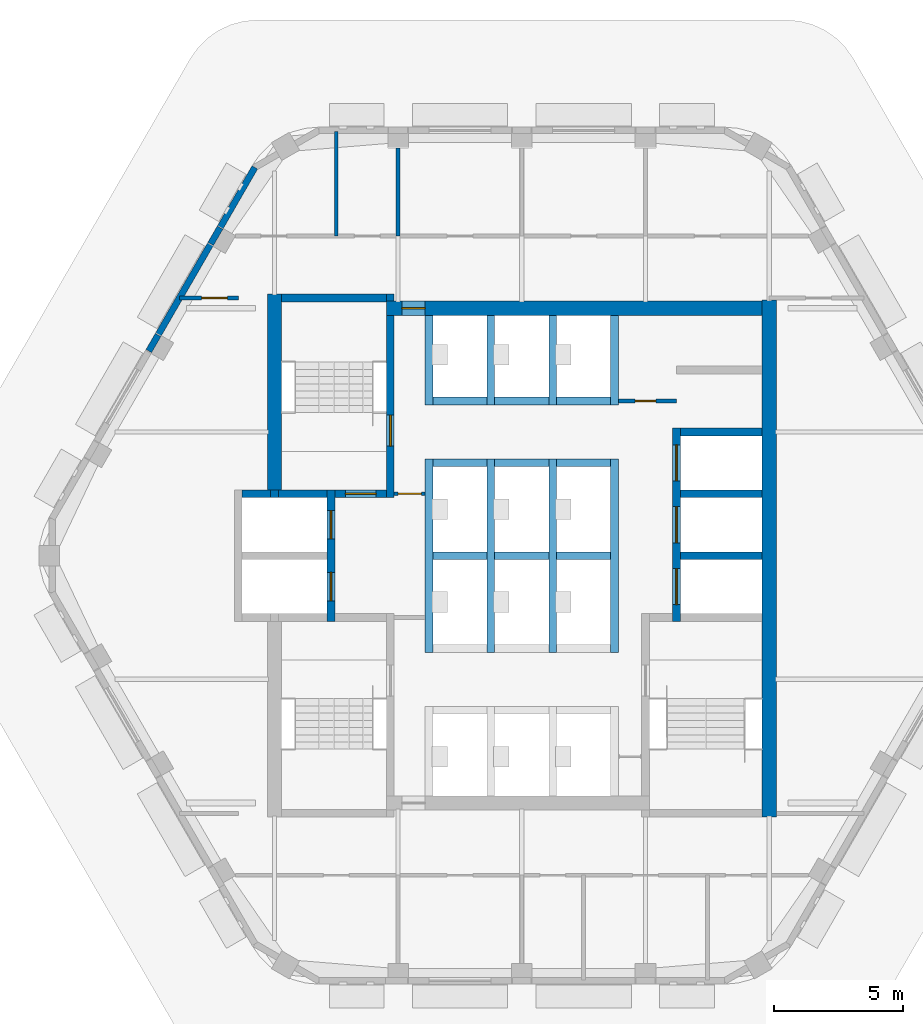
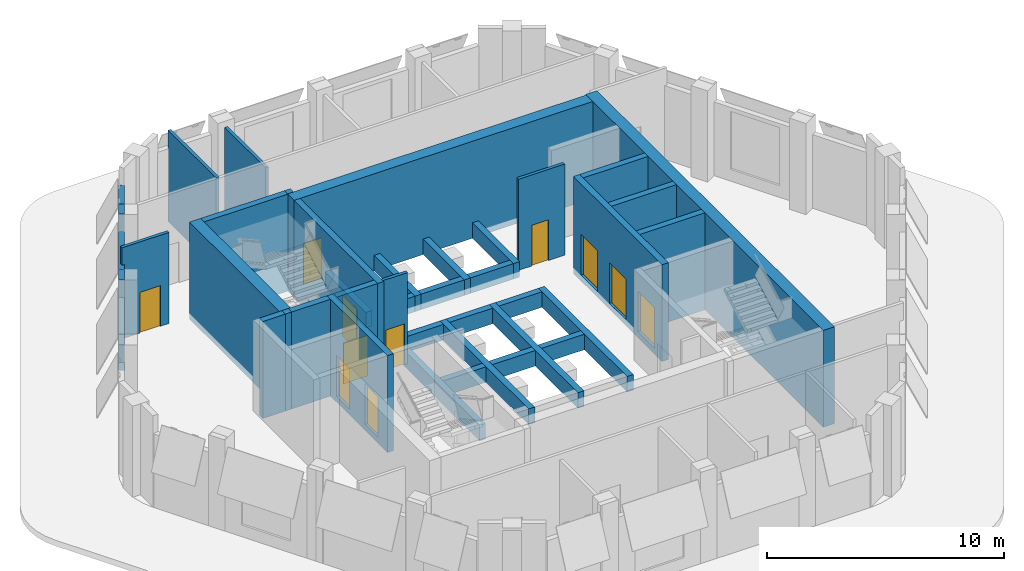
# One storey, part 4 of 9: 41 walls, 11 doors, 11 openings.
"""IFC4 building model written with IfcOpenShell, lengths in metres."""

import ifcopenshell
import ifcopenshell.guid

model = None  # the IFC model being written
_history = None  # IfcOwnerHistory: only IFC2X3 demands one
_inside = {}  # id of a spatial element -> (the spatial element, [elements in it])
_under = {}  # id of a project, library or spatial element -> (it, [spatial elements below it])
_declared = {}  # id of a project -> (the project, [libraries it declares])
_typed = {}  # id of a type object -> (the type object, [elements of that type])
_made_of = {}  # id of a material, layer set ... -> (it, [elements and type objects made of it])


def new_model(schema):
    """Start an empty IFC model of exactly this schema.

    Asked for "IFC4X3", IfcOpenShell would pick the latest addendum, in which some entities
    have other attributes; the version numbers below select the first issue.
    IFC2X3 requires an IfcOwnerHistory on every rooted entity: one is made here for all.
    """
    global model, _history
    if schema == "IFC4X3":
        model = ifcopenshell.file(schema_version=(4, 3, 0, 0))
    else:
        model = ifcopenshell.file(schema=schema)
    _inside.clear()
    _under.clear()
    _declared.clear()
    _typed.clear()
    _made_of.clear()
    _history = None
    if model.schema == "IFC2X3":
        org = make("IfcOrganization", Name="unknown")
        user = make(
            "IfcPersonAndOrganization",
            ThePerson=make("IfcPerson", FamilyName="unknown"),
            TheOrganization=org,
        )
        app = make(
            "IfcApplication",
            ApplicationDeveloper=org,
            Version="unknown",
            ApplicationFullName="unknown",
            ApplicationIdentifier="unknown",
        )
        _history = make(
            "IfcOwnerHistory",
            OwningUser=user,
            OwningApplication=app,
            ChangeAction="ADDED",
            CreationDate=0,
        )
    return model


def make(cls, **values):
    """One entity of the class cls with the attributes given. An attribute that is None is left unset."""
    return model.create_entity(
        cls, **{name: value for name, value in values.items() if value is not None}
    )


def rooted(cls, **values):
    """An entity with a GlobalId (a new one), such as an element, a storey or a relation."""
    return make(cls, GlobalId=ifcopenshell.guid.new(), OwnerHistory=_history, **values)


def si_unit(unit_type, name, prefix=None):
    """IfcSIUnit, for example si_unit("LENGTHUNIT", "METRE", prefix="MILLI")."""
    return make("IfcSIUnit", UnitType=unit_type, Prefix=prefix, Name=name)


def assignment(units):
    """IfcUnitAssignment: the units of a project."""
    return None if units is None else make("IfcUnitAssignment", Units=units)


def point(xyz):
    """IfcCartesianPoint."""
    return None if xyz is None else make("IfcCartesianPoint", Coordinates=xyz)


def direction(xyz):
    """IfcDirection."""
    return None if xyz is None else make("IfcDirection", DirectionRatios=xyz)


def frame(location, z_axis=None, x_axis=None):
    """IfcAxis2Placement3D, a coordinate frame: its origin and axes. An axis left out is left unset."""
    return make(
        "IfcAxis2Placement3D",
        Location=point(location),
        Axis=direction(z_axis),
        RefDirection=direction(x_axis),
    )


def frame_2d(location, x_axis=None):
    """IfcAxis2Placement2D, a coordinate frame in the plane: its origin and x axis."""
    return make(
        "IfcAxis2Placement2D", Location=point(location), RefDirection=direction(x_axis)
    )


def origin():
    """The frame at (0, 0, 0) with its axes left unset."""
    return frame((0.0, 0.0, 0.0))


def place(relative_to, where):
    """IfcLocalPlacement: puts the frame where relative to a parent placement (None: the world)."""
    return make(
        "IfcLocalPlacement", PlacementRelTo=relative_to, RelativePlacement=where
    )


def context(
    kind, dimensions, precision=None, world=None, true_north=None, identifier=None
):
    """IfcGeometricRepresentationContext, for example the 3D "Model" context."""
    return make(
        "IfcGeometricRepresentationContext",
        ContextIdentifier=identifier,
        ContextType=kind,
        CoordinateSpaceDimension=dimensions,
        Precision=precision,
        WorldCoordinateSystem=world,
        TrueNorth=true_north,
    )


def subcontext(parent, identifier, kind, view, scale=None):
    """IfcGeometricRepresentationSubContext, for example "Body" below "Model"."""
    return make(
        "IfcGeometricRepresentationSubContext",
        ContextIdentifier=identifier,
        ContextType=kind,
        ParentContext=parent,
        TargetScale=scale,
        TargetView=view,
    )


def project(units=None, contexts=None):
    """IfcProject with its units and contexts."""
    return rooted(
        "IfcProject",
        Name="project",
        RepresentationContexts=contexts,
        UnitsInContext=assignment(units),
    )


def spatial(cls, under=None, at=None, **own):
    """A site, building, storey or space (cls), placed at a placement, below another one or the project."""
    s = rooted(cls, ObjectPlacement=at, **own)
    if under is not None:
        _under.setdefault(under.id(), (under, []))[1].append(s)
    return s


def profile(cls, at=None, kind="AREA", **sizes):
    """A parametric profile (cls). Its sizes go by their IFC names, for example OverallWidth=200.0."""
    return make(cls, ProfileType=kind, Position=at, **sizes)


def rectangle(**sizes):
    """IfcRectangleProfileDef."""
    return profile("IfcRectangleProfileDef", **sizes)


def extrude(swept, where, along, depth):
    """IfcExtrudedAreaSolid: the profile swept, set in the frame where, extruded along a direction by depth."""
    return make(
        "IfcExtrudedAreaSolid",
        SweptArea=swept,
        Position=where,
        ExtrudedDirection=direction(along),
        Depth=depth,
    )


def shape(context_of_items, identifier, shape_type, items):
    """IfcShapeRepresentation: the items that make up one representation, for example the "Body"."""
    return make(
        "IfcShapeRepresentation",
        ContextOfItems=context_of_items,
        RepresentationIdentifier=identifier,
        RepresentationType=shape_type,
        Items=items,
    )


def material(Name=None, Category=None):
    """IfcMaterial."""
    return make("IfcMaterial", Name=Name, Category=Category)


def layer(
    of_material, thickness, ventilated=None, Name=None, Category=None, Priority=None
):
    """IfcMaterialLayer: one layer of a wall or slab, of a material (None: an air gap)."""
    return make(
        "IfcMaterialLayer",
        Material=of_material,
        LayerThickness=thickness,
        IsVentilated=ventilated,
        Name=Name,
        Category=Category,
        Priority=Priority,
    )


def layer_set(layers, Name=None):
    """IfcMaterialLayerSet."""
    return make("IfcMaterialLayerSet", MaterialLayers=layers, LayerSetName=Name)


def made_of(thing, what):
    """Note that an element or type object is made of a material, layer set ...; save() writes the relation."""
    if what is not None:
        _made_of.setdefault(what.id(), (what, []))[1].append(thing)
    return thing


def type_object(cls, material=None, **own):
    """A type object (cls), such as IfcWallType, which elements share."""
    return made_of(rooted(cls, **own), material)


def element(
    cls,
    number,
    at=None,
    inside=None,
    cuts=None,
    type_object=None,
    material=None,
    context=None,
    identifier="Body",
    shape_type=None,
    held_by="IfcProductDefinitionShape",
    body=None,
    shapes=None,
    **own,
):
    """One element of the class cls, such as IfcWall. Its Tag is "e" and its number.

    at: its placement. inside: the storey or other place that contains it. cuts: it is an
    opening in that element (IfcRelVoidsElement). A single representation is given by context,
    identifier, shape_type and body (its items); several are given by shapes. held_by: the class
    of the entity that holds the representations. save() writes the other relations.
    """
    e = rooted(cls, Tag="e%d" % number, ObjectPlacement=at, **own)
    if body is not None:
        shapes = [shape(context, identifier, shape_type, body)]
    if shapes is not None:
        e.Representation = make(held_by, Representations=shapes)
    if inside is not None:
        _inside.setdefault(inside.id(), (inside, []))[1].append(e)
    if cuts is not None:
        rooted(
            "IfcRelVoidsElement", RelatingBuildingElement=cuts, RelatedOpeningElement=e
        )
    if type_object is not None:
        _typed.setdefault(type_object.id(), (type_object, []))[1].append(e)
    return made_of(e, material)


def fill(opening, filler):
    """IfcRelFillsElement: the door or window that sits in an opening."""
    return rooted(
        "IfcRelFillsElement",
        RelatingOpeningElement=opening,
        RelatedBuildingElement=filler,
    )


def aggregate(whole, parts):
    """IfcRelAggregates: a whole, such as a stair, and the parts it consists of."""
    return rooted("IfcRelAggregates", RelatingObject=whole, RelatedObjects=parts)


def save(model, path):
    """Write the relations noted so far, then the file.

    IfcRelAggregates (storeys below a building ...), IfcRelContainedInSpatialStructure (elements
    in a storey), IfcRelDefinesByType, IfcRelAssociatesMaterial and IfcRelDeclares: one each for
    every whole, place, type object, material and project.
    """
    for whole, parts in _under.values():
        aggregate(whole, parts)
    for where, things in _inside.values():
        rooted(
            "IfcRelContainedInSpatialStructure",
            RelatedElements=things,
            RelatingStructure=where,
        )
    for kind, things in _typed.values():
        rooted("IfcRelDefinesByType", RelatedObjects=things, RelatingType=kind)
    for what, things in _made_of.values():
        rooted("IfcRelAssociatesMaterial", RelatedObjects=things, RelatingMaterial=what)
    for by, libraries in _declared.values():
        rooted("IfcRelDeclares", RelatingContext=by, RelatedDefinitions=libraries)
    model.write(path)


model = new_model("IFC4")

# Units and contexts
model_context = context("Model", 3, precision=1e-05, world=origin(), true_north=direction((0.0, 1.0)))
body_context = subcontext(model_context, "Body", "Model", "MODEL_VIEW")
ifc_project = project(units=[si_unit("LENGTHUNIT", "METRE"), si_unit("AREAUNIT", "SQUARE_METRE"), si_unit("VOLUMEUNIT", "CUBIC_METRE"), si_unit("PLANEANGLEUNIT", "RADIAN"), si_unit("MASSUNIT", "GRAM", prefix="KILO")], contexts=[model_context])

# Site, building, storey
site_placement = place(None, origin())
site = spatial("IfcSite", under=ifc_project, at=site_placement, CompositionType="ELEMENT")
building_placement = place(site_placement, origin())
building = spatial("IfcBuilding", under=site, at=building_placement, Name="Kolab Exchange Tower", CompositionType="ELEMENT")
storey_placement = place(building_placement, frame((0.0, 0.0, 296.89990234375)))
storey = spatial("IfcBuildingStorey", under=building, at=storey_placement, Name="L67", CompositionType="ELEMENT", Elevation=296.89990234375)

# Wall, opening, door
ifc_material_1 = material(Name="Concrete C50/60", Category="concrete")
ifc_layer_1 = layer(ifc_material_1, 0.550048828125)
ifc_layer_set_1 = layer_set([ifc_layer_1], Name="Concrete C50/60")
wall_type_1 = type_object("IfcWallType", Name="CORE WALL 550 C50/60", PredefinedType="SHEAR", material=ifc_layer_set_1)
wall_1_placement = place(storey_placement, frame((-5.25, 9.60009765625, -0.2998046875), z_axis=(0.0, 0.0, 1.0), x_axis=(1.0, 0.0, 0.0)))
wall_1 = element("IfcWall", 1, at=wall_1_placement, inside=storey, type_object=wall_type_1, Name="wall/L67/core/031", PredefinedType="SHEAR", context=body_context, shape_type="SweptSolid", body=[
    extrude(rectangle(XDim=14.574951171875, YDim=0.550048828125, at=frame_2d((7.28759765625, 0.0))), origin(), (0.0, 0.0, 1.0), 5.0),
])
opening_1_placement = place(wall_1_placement, frame((0.60009765625, 0.0, 0.300048828125)))
opening_1 = element("IfcOpeningElement", 2, at=opening_1_placement, cuts=wall_1, Name="Opening D6-300", PredefinedType="OPENING", context=body_context, shape_type="SweptSolid", body=[
    extrude(rectangle(XDim=0.89990234375, YDim=2.10009765625, at=frame_2d((0.449951171875, 1.050048828125))), frame((0.0, 0.28515625, 0.0), z_axis=(0.0, -1.0, 0.0), x_axis=(1.0, 0.0, 0.0)), (0.0, 0.0, 1.0), 0.570068359375),
])
ifc_material_2 = material(Name="Steel S235", Category="steel")
door_type_1 = type_object("IfcDoorType", Name="CORE DOOR 900 EI 120", OperationType="SINGLE_SWING_LEFT", PredefinedType="DOOR", material=ifc_material_2)
door_1_placement = place(opening_1_placement, frame((0.89990234375, 0.0, 0.0), z_axis=(0.0, 0.0, 1.0), x_axis=(-1.0, 0.0, 0.0)))
door_1 = element("IfcDoor", 3, at=door_1_placement, inside=storey, type_object=door_type_1, Name="Core lobby door", OperationType="SINGLE_SWING_RIGHT", OverallHeight=2.10009765625, OverallWidth=0.89990234375, PredefinedType="DOOR", context=body_context, shape_type="SweptSolid", body=[
    extrude(rectangle(XDim=0.89990234375, YDim=2.10009765625, at=frame_2d((0.449951171875, 1.050048828125))), frame((0.0, 0.02490234375, 0.0), z_axis=(0.0, -1.0, 0.0), x_axis=(1.0, 0.0, 0.0)), (0.0, 0.0, 1.0), 0.050048828125),
])
fill(opening_1, door_1)

# Walls
wall_2_placement = place(storey_placement, frame((-9.60009765625, 2.550048828125, -0.2998046875), z_axis=(0.0, 0.0, 1.0), x_axis=(0.0, 1.0, 0.0)))
element("IfcWall", 4, at=wall_2_placement, inside=storey, type_object=wall_type_1, Name="wall/L67/core/037", PredefinedType="SHEAR", context=body_context, shape_type="SweptSolid", body=[
    extrude(rectangle(XDim=7.599853515625, YDim=0.550048828125, at=frame_2d((3.7998046875, 0.0))), origin(), (0.0, 0.0, 1.0), 5.0),
])
wall_3_placement = place(storey_placement, frame((9.60009765625, -10.14990234375, -0.2998046875), z_axis=(0.0, 0.0, 1.0), x_axis=(0.0, 1.0, 0.0)))
element("IfcWall", 5, at=wall_3_placement, inside=storey, type_object=wall_type_1, Name="wall/L67/core/058", PredefinedType="SHEAR", context=body_context, shape_type="SweptSolid", body=[
    extrude(rectangle(XDim=20.074951171875, YDim=0.550048828125, at=frame_2d((10.03759765625, 0.0))), origin(), (0.0, 0.0, 1.0), 5.0),
])
ifc_material_3 = material(Name="Aluminium EN AW-6063 T6", Category="aluminium")
ifc_layer_2 = layer(ifc_material_3, 0.25)
ifc_layer_set_2 = layer_set([ifc_layer_2], Name="Aluminium EN AW-6063 T6")
wall_type_2 = type_object("IfcWallType", Name="CROWN CLADDING WALL 250", PredefinedType="SOLIDWALL", material=ifc_layer_set_2)
wall_4_placement = place(storey_placement, frame((-14.4716796875, 7.939453125, 0.0), z_axis=(0.0, 0.0, 1.0), x_axis=(0.499712670472, 0.866191230024, 0.0)))
element("IfcWall", 6, at=wall_4_placement, inside=storey, type_object=wall_type_2, Name="Crown cladding wall", PredefinedType="SOLIDWALL", context=body_context, shape_type="SweptSolid", body=[
    extrude(rectangle(XDim=0.72021484375, YDim=0.25, at=frame_2d((0.360107421875, 0.0))), origin(), (0.0, 0.0, 1.0), 4.7001953125),
])
wall_5_placement = place(storey_placement, frame((-14.11181640625, 8.563232421875, 0.0), z_axis=(0.0, 0.0, 1.0), x_axis=(0.500026340207, 0.866010195725, 0.0)))
element("IfcWall", 7, at=wall_5_placement, inside=storey, type_object=wall_type_2, Name="Crown cladding wall", PredefinedType="SOLIDWALL", context=body_context, shape_type="SweptSolid", body=[
    extrude(rectangle(XDim=4.079833984375, YDim=0.25, at=frame_2d((2.0400390625, 0.0))), origin(), (0.0, 0.0, 1.0), 3.800048828125),
])
wall_6_placement = place(storey_placement, frame((-12.07177734375, 12.096435546875, 0.0), z_axis=(0.0, 0.0, 1.0), x_axis=(0.499896944627, 0.866084894657, 0.0)))
element("IfcWall", 8, at=wall_6_placement, inside=storey, type_object=wall_type_2, Name="Crown cladding wall", PredefinedType="SOLIDWALL", context=body_context, shape_type="SweptSolid", body=[
    extrude(rectangle(XDim=0.726806640625, YDim=0.25, at=frame_2d((0.36328125, 0.0))), origin(), (0.0, 0.0, 1.0), 4.7001953125),
])
wall_7_placement = place(storey_placement, frame((-11.70849609375, 12.725830078125, 0.0), z_axis=(0.0, 0.0, 1.0), x_axis=(0.500056239725, 0.865992931329, 0.0)))
element("IfcWall", 9, at=wall_7_placement, inside=storey, type_object=wall_type_2, Name="Crown cladding wall", PredefinedType="SOLIDWALL", context=body_context, shape_type="SweptSolid", body=[
    extrude(rectangle(XDim=2.701416015625, YDim=0.25, at=frame_2d((1.3505859375, 0.0))), origin(), (0.0, 0.0, 1.0), 3.800048828125),
])
ifc_layer_3 = layer(ifc_material_1, 0.300048828125)
ifc_layer_set_3 = layer_set([ifc_layer_3], Name="Concrete C50/60")
wall_type_3 = type_object("IfcWallType", Name="LIFT SHAFT WALL 300 C50/60", PredefinedType="STANDARD", material=ifc_layer_set_3)
wall_8_placement = place(storey_placement, frame((-3.449951171875, 0.0, -0.2998046875), z_axis=(0.0, 0.0, 1.0), x_axis=(1.0, 0.0, 0.0)))
element("IfcWall", 10, at=wall_8_placement, inside=storey, type_object=wall_type_3, Name="wall/L67/core/015", PredefinedType="STANDARD", context=body_context, shape_type="SweptSolid", body=[
    extrude(rectangle(XDim=2.099853515625, YDim=0.300048828125, at=frame_2d((1.0498046875, 0.0))), origin(), (0.0, 0.0, 1.0), 0.7998046875),
])
wall_9_placement = place(storey_placement, frame((-1.050048828125, 0.0, -0.2998046875), z_axis=(0.0, 0.0, 1.0), x_axis=(1.0, 0.0, 0.0)))
element("IfcWall", 11, at=wall_9_placement, inside=storey, type_object=wall_type_3, Name="wall/L67/core/016", PredefinedType="STANDARD", context=body_context, shape_type="SweptSolid", body=[
    extrude(rectangle(XDim=2.10009765625, YDim=0.300048828125, at=frame_2d((1.050048828125, 0.0))), origin(), (0.0, 0.0, 1.0), 0.7998046875),
])
wall_10_placement = place(storey_placement, frame((1.35009765625, 0.0, -0.2998046875), z_axis=(0.0, 0.0, 1.0), x_axis=(1.0, 0.0, 0.0)))
element("IfcWall", 12, at=wall_10_placement, inside=storey, type_object=wall_type_3, Name="wall/L67/core/017", PredefinedType="STANDARD", context=body_context, shape_type="SweptSolid", body=[
    extrude(rectangle(XDim=2.099853515625, YDim=0.300048828125, at=frame_2d((1.0498046875, 0.0))), origin(), (0.0, 0.0, 1.0), 0.7998046875),
])
wall_11_placement = place(storey_placement, frame((6.14990234375, 0.0, -0.2998046875), z_axis=(0.0, 0.0, 1.0), x_axis=(1.0, 0.0, 0.0)))
element("IfcWall", 13, at=wall_11_placement, inside=storey, type_object=wall_type_3, Name="wall/L67/core/018", PredefinedType="STANDARD", context=body_context, shape_type="SweptSolid", body=[
    extrude(rectangle(XDim=3.175048828125, YDim=0.300048828125, at=frame_2d((1.58740234375, 0.0))), origin(), (0.0, 0.0, 1.0), 5.0),
])
wall_12_placement = place(storey_placement, frame((-10.85009765625, 2.39990234375, -0.2998046875), z_axis=(0.0, 0.0, 1.0), x_axis=(1.0, 0.0, 0.0)))
element("IfcWall", 14, at=wall_12_placement, inside=storey, type_object=wall_type_3, Name="wall/L67/core/019", PredefinedType="STANDARD", context=body_context, shape_type="SweptSolid", body=[
    extrude(rectangle(XDim=1.10009765625, YDim=0.300048828125, at=frame_2d((0.550048828125, 0.0))), origin(), (0.0, 0.0, 1.0), 5.0),
])
wall_13_placement = place(storey_placement, frame((6.14990234375, 2.39990234375, -0.2998046875), z_axis=(0.0, 0.0, 1.0), x_axis=(1.0, 0.0, 0.0)))
element("IfcWall", 15, at=wall_13_placement, inside=storey, type_object=wall_type_3, Name="wall/L67/core/022", PredefinedType="STANDARD", context=body_context, shape_type="SweptSolid", body=[
    extrude(rectangle(XDim=3.175048828125, YDim=0.300048828125, at=frame_2d((1.58740234375, 0.0))), origin(), (0.0, 0.0, 1.0), 5.0),
])
wall_14_placement = place(storey_placement, frame((-3.449951171875, 3.60009765625, -0.2998046875), z_axis=(0.0, 0.0, 1.0), x_axis=(1.0, 0.0, 0.0)))
element("IfcWall", 16, at=wall_14_placement, inside=storey, type_object=wall_type_3, Name="wall/L67/core/023", PredefinedType="STANDARD", context=body_context, shape_type="SweptSolid", body=[
    extrude(rectangle(XDim=2.099853515625, YDim=0.300048828125, at=frame_2d((1.0498046875, 0.0))), origin(), (0.0, 0.0, 1.0), 0.7998046875),
])
wall_15_placement = place(storey_placement, frame((-1.050048828125, 3.60009765625, -0.2998046875), z_axis=(0.0, 0.0, 1.0), x_axis=(1.0, 0.0, 0.0)))
element("IfcWall", 17, at=wall_15_placement, inside=storey, type_object=wall_type_3, Name="wall/L67/core/024", PredefinedType="STANDARD", context=body_context, shape_type="SweptSolid", body=[
    extrude(rectangle(XDim=2.10009765625, YDim=0.300048828125, at=frame_2d((1.050048828125, 0.0))), origin(), (0.0, 0.0, 1.0), 0.7998046875),
])
wall_16_placement = place(storey_placement, frame((1.35009765625, 3.60009765625, -0.2998046875), z_axis=(0.0, 0.0, 1.0), x_axis=(1.0, 0.0, 0.0)))
element("IfcWall", 18, at=wall_16_placement, inside=storey, type_object=wall_type_3, Name="wall/L67/core/025", PredefinedType="STANDARD", context=body_context, shape_type="SweptSolid", body=[
    extrude(rectangle(XDim=2.099853515625, YDim=0.300048828125, at=frame_2d((1.0498046875, 0.0))), origin(), (0.0, 0.0, 1.0), 0.7998046875),
])
wall_17_placement = place(storey_placement, frame((6.14990234375, 4.800048828125, -0.2998046875), z_axis=(0.0, 0.0, 1.0), x_axis=(1.0, 0.0, 0.0)))
element("IfcWall", 19, at=wall_17_placement, inside=storey, type_object=wall_type_3, Name="wall/L67/core/026", PredefinedType="STANDARD", context=body_context, shape_type="SweptSolid", body=[
    extrude(rectangle(XDim=3.175048828125, YDim=0.300048828125, at=frame_2d((1.58740234375, 0.0))), origin(), (0.0, 0.0, 1.0), 5.0),
])
wall_18_placement = place(storey_placement, frame((-3.449951171875, 6.0, -0.2998046875), z_axis=(0.0, 0.0, 1.0), x_axis=(1.0, 0.0, 0.0)))
element("IfcWall", 20, at=wall_18_placement, inside=storey, type_object=wall_type_3, Name="wall/L67/core/027", PredefinedType="STANDARD", context=body_context, shape_type="SweptSolid", body=[
    extrude(rectangle(XDim=2.099853515625, YDim=0.300048828125, at=frame_2d((1.0498046875, 0.0))), origin(), (0.0, 0.0, 1.0), 0.7998046875),
])
wall_19_placement = place(storey_placement, frame((-1.050048828125, 6.0, -0.2998046875), z_axis=(0.0, 0.0, 1.0), x_axis=(1.0, 0.0, 0.0)))
element("IfcWall", 21, at=wall_19_placement, inside=storey, type_object=wall_type_3, Name="wall/L67/core/028", PredefinedType="STANDARD", context=body_context, shape_type="SweptSolid", body=[
    extrude(rectangle(XDim=2.10009765625, YDim=0.300048828125, at=frame_2d((1.050048828125, 0.0))), origin(), (0.0, 0.0, 1.0), 0.7998046875),
])
wall_20_placement = place(storey_placement, frame((1.35009765625, 6.0, -0.2998046875), z_axis=(0.0, 0.0, 1.0), x_axis=(1.0, 0.0, 0.0)))
element("IfcWall", 22, at=wall_20_placement, inside=storey, type_object=wall_type_3, Name="wall/L67/core/029", PredefinedType="STANDARD", context=body_context, shape_type="SweptSolid", body=[
    extrude(rectangle(XDim=2.099853515625, YDim=0.300048828125, at=frame_2d((1.0498046875, 0.0))), origin(), (0.0, 0.0, 1.0), 0.7998046875),
])

# Wall, openings, doors
wall_21_placement = place(storey_placement, frame((-7.39990234375, -2.550048828125, -0.2998046875), z_axis=(0.0, 0.0, 1.0), x_axis=(0.0, 1.0, 0.0)))
wall_21 = element("IfcWall", 23, at=wall_21_placement, inside=storey, type_object=wall_type_3, Name="wall/L67/core/038", PredefinedType="STANDARD", context=body_context, shape_type="SweptSolid", body=[
    extrude(rectangle(XDim=5.10009765625, YDim=0.300048828125, at=frame_2d((2.550048828125, 0.0))), origin(), (0.0, 0.0, 1.0), 5.0),
])
opening_2_placement = place(wall_21_placement, frame((0.800048828125, 0.0, 0.300048828125)))
opening_2 = element("IfcOpeningElement", 24, at=opening_2_placement, cuts=wall_21, Name="Opening LD2-029", PredefinedType="OPENING", context=body_context, shape_type="SweptSolid", body=[
    extrude(rectangle(XDim=1.10009765625, YDim=2.10009765625, at=frame_2d((0.550048828125, 1.050048828125))), frame((0.0, 0.16015625, 0.0), z_axis=(0.0, -1.0, 0.0), x_axis=(1.0, 0.0, 0.0)), (0.0, 0.0, 1.0), 0.320068359375),
])
opening_3_placement = place(wall_21_placement, frame((3.199951171875, 0.0, 0.300048828125)))
opening_3 = element("IfcOpeningElement", 25, at=opening_3_placement, cuts=wall_21, Name="Opening LD2-030", PredefinedType="OPENING", context=body_context, shape_type="SweptSolid", body=[
    extrude(rectangle(XDim=1.10009765625, YDim=2.10009765625, at=frame_2d((0.550048828125, 1.050048828125))), frame((0.0, 0.16015625, 0.0), z_axis=(0.0, -1.0, 0.0), x_axis=(1.0, 0.0, 0.0)), (0.0, 0.0, 1.0), 0.320068359375),
])
ifc_material_4 = material(Name="Stainless steel 316", Category="steel")
door_type_2 = type_object("IfcDoorType", Name="LANDING DOOR 1100 FIREFIGHTING", OperationType="DOUBLE_DOOR_SLIDING", PredefinedType="DOOR", material=ifc_material_4)
door_2_placement = place(opening_2_placement, origin())
door_2 = element("IfcDoor", 26, at=door_2_placement, inside=storey, type_object=door_type_2, Name="Landing door FF1", OperationType="DOUBLE_DOOR_SLIDING", OverallHeight=2.10009765625, OverallWidth=1.10009765625, PredefinedType="DOOR", context=body_context, shape_type="SweptSolid", body=[
    extrude(rectangle(XDim=1.10009765625, YDim=2.10009765625, at=frame_2d((0.550048828125, 1.050048828125))), frame((0.0, 0.02490234375, 0.0), z_axis=(0.0, -1.0, 0.0), x_axis=(1.0, 0.0, 0.0)), (0.0, 0.0, 1.0), 0.050048828125),
])
fill(opening_2, door_2)
door_3_placement = place(opening_3_placement, origin())
door_3 = element("IfcDoor", 27, at=door_3_placement, inside=storey, type_object=door_type_2, Name="Landing door FF2", OperationType="DOUBLE_DOOR_SLIDING", OverallHeight=2.10009765625, OverallWidth=1.10009765625, PredefinedType="DOOR", context=body_context, shape_type="SweptSolid", body=[
    extrude(rectangle(XDim=1.10009765625, YDim=2.10009765625, at=frame_2d((0.550048828125, 1.050048828125))), frame((0.0, 0.02490234375, 0.0), z_axis=(0.0, -1.0, 0.0), x_axis=(1.0, 0.0, 0.0)), (0.0, 0.0, 1.0), 0.050048828125),
])
fill(opening_3, door_3)

# Walls
wall_22_placement = place(storey_placement, frame((-3.60009765625, -3.75, -0.2998046875), z_axis=(0.0, 0.0, 1.0), x_axis=(0.0, 1.0, 0.0)))
element("IfcWall", 28, at=wall_22_placement, inside=storey, type_object=wall_type_3, Name="wall/L67/core/044", PredefinedType="STANDARD", context=body_context, shape_type="SweptSolid", body=[
    extrude(rectangle(XDim=7.5, YDim=0.300048828125, at=frame_2d((3.75, 0.0))), origin(), (0.0, 0.0, 1.0), 0.7998046875),
])
wall_23_placement = place(storey_placement, frame((-3.60009765625, 5.85009765625, -0.2998046875), z_axis=(0.0, 0.0, 1.0), x_axis=(0.0, 1.0, 0.0)))
element("IfcWall", 29, at=wall_23_placement, inside=storey, type_object=wall_type_3, Name="wall/L67/core/045", PredefinedType="STANDARD", context=body_context, shape_type="SweptSolid", body=[
    extrude(rectangle(XDim=3.474853515625, YDim=0.300048828125, at=frame_2d((1.7373046875, 0.0))), origin(), (0.0, 0.0, 1.0), 0.7998046875),
])
wall_24_placement = place(storey_placement, frame((-1.199951171875, -3.75, -0.2998046875), z_axis=(0.0, 0.0, 1.0), x_axis=(0.0, 1.0, 0.0)))
element("IfcWall", 30, at=wall_24_placement, inside=storey, type_object=wall_type_3, Name="wall/L67/core/047", PredefinedType="STANDARD", context=body_context, shape_type="SweptSolid", body=[
    extrude(rectangle(XDim=7.5, YDim=0.300048828125, at=frame_2d((3.75, 0.0))), origin(), (0.0, 0.0, 1.0), 0.7998046875),
])
wall_25_placement = place(storey_placement, frame((-1.199951171875, 5.85009765625, -0.2998046875), z_axis=(0.0, 0.0, 1.0), x_axis=(0.0, 1.0, 0.0)))
element("IfcWall", 31, at=wall_25_placement, inside=storey, type_object=wall_type_3, Name="wall/L67/core/048", PredefinedType="STANDARD", context=body_context, shape_type="SweptSolid", body=[
    extrude(rectangle(XDim=3.474853515625, YDim=0.300048828125, at=frame_2d((1.7373046875, 0.0))), origin(), (0.0, 0.0, 1.0), 0.7998046875),
])
wall_26_placement = place(storey_placement, frame((1.199951171875, -3.75, -0.2998046875), z_axis=(0.0, 0.0, 1.0), x_axis=(0.0, 1.0, 0.0)))
element("IfcWall", 32, at=wall_26_placement, inside=storey, type_object=wall_type_3, Name="wall/L67/core/050", PredefinedType="STANDARD", context=body_context, shape_type="SweptSolid", body=[
    extrude(rectangle(XDim=7.5, YDim=0.300048828125, at=frame_2d((3.75, 0.0))), origin(), (0.0, 0.0, 1.0), 0.7998046875),
])
wall_27_placement = place(storey_placement, frame((1.199951171875, 5.85009765625, -0.2998046875), z_axis=(0.0, 0.0, 1.0), x_axis=(0.0, 1.0, 0.0)))
element("IfcWall", 33, at=wall_27_placement, inside=storey, type_object=wall_type_3, Name="wall/L67/core/051", PredefinedType="STANDARD", context=body_context, shape_type="SweptSolid", body=[
    extrude(rectangle(XDim=3.474853515625, YDim=0.300048828125, at=frame_2d((1.7373046875, 0.0))), origin(), (0.0, 0.0, 1.0), 0.7998046875),
])
wall_28_placement = place(storey_placement, frame((3.60009765625, -3.75, -0.2998046875), z_axis=(0.0, 0.0, 1.0), x_axis=(0.0, 1.0, 0.0)))
element("IfcWall", 34, at=wall_28_placement, inside=storey, type_object=wall_type_3, Name="wall/L67/core/053", PredefinedType="STANDARD", context=body_context, shape_type="SweptSolid", body=[
    extrude(rectangle(XDim=7.5, YDim=0.300048828125, at=frame_2d((3.75, 0.0))), origin(), (0.0, 0.0, 1.0), 0.7998046875),
])
wall_29_placement = place(storey_placement, frame((3.60009765625, 5.85009765625, -0.2998046875), z_axis=(0.0, 0.0, 1.0), x_axis=(0.0, 1.0, 0.0)))
element("IfcWall", 35, at=wall_29_placement, inside=storey, type_object=wall_type_3, Name="wall/L67/core/054", PredefinedType="STANDARD", context=body_context, shape_type="SweptSolid", body=[
    extrude(rectangle(XDim=3.474853515625, YDim=0.300048828125, at=frame_2d((1.7373046875, 0.0))), origin(), (0.0, 0.0, 1.0), 0.7998046875),
])

# Wall, openings, doors
wall_30_placement = place(storey_placement, frame((6.0, -2.550048828125, -0.2998046875), z_axis=(0.0, 0.0, 1.0), x_axis=(0.0, 1.0, 0.0)))
wall_30 = element("IfcWall", 36, at=wall_30_placement, inside=storey, type_object=wall_type_3, Name="wall/L67/core/057", PredefinedType="STANDARD", context=body_context, shape_type="SweptSolid", body=[
    extrude(rectangle(XDim=7.5, YDim=0.300048828125, at=frame_2d((3.75, 0.0))), origin(), (0.0, 0.0, 1.0), 5.0),
])
opening_4_placement = place(wall_30_placement, frame((0.64990234375, 0.0, 0.300048828125)))
opening_4 = element("IfcOpeningElement", 37, at=opening_4_placement, cuts=wall_30, Name="Opening LD3-043", PredefinedType="OPENING", context=body_context, shape_type="SweptSolid", body=[
    extrude(rectangle(XDim=1.39990234375, YDim=2.10009765625, at=frame_2d((0.699951171875, 1.050048828125))), frame((0.0, 0.16015625, 0.0), z_axis=(0.0, -1.0, 0.0), x_axis=(1.0, 0.0, 0.0)), (0.0, 0.0, 1.0), 0.320068359375),
])
opening_5_placement = place(wall_30_placement, frame((3.050048828125, 0.0, 0.300048828125)))
opening_5 = element("IfcOpeningElement", 38, at=opening_5_placement, cuts=wall_30, Name="Opening LD3-044", PredefinedType="OPENING", context=body_context, shape_type="SweptSolid", body=[
    extrude(rectangle(XDim=1.39990234375, YDim=2.10009765625, at=frame_2d((0.699951171875, 1.050048828125))), frame((0.0, 0.16015625, 0.0), z_axis=(0.0, -1.0, 0.0), x_axis=(1.0, 0.0, 0.0)), (0.0, 0.0, 1.0), 0.320068359375),
])
opening_6_placement = place(wall_30_placement, frame((5.449951171875, 0.0, 0.300048828125)))
opening_6 = element("IfcOpeningElement", 39, at=opening_6_placement, cuts=wall_30, Name="Opening LD3-045", PredefinedType="OPENING", context=body_context, shape_type="SweptSolid", body=[
    extrude(rectangle(XDim=1.39990234375, YDim=2.10009765625, at=frame_2d((0.699951171875, 1.050048828125))), frame((0.0, 0.16015625, 0.0), z_axis=(0.0, -1.0, 0.0), x_axis=(1.0, 0.0, 0.0)), (0.0, 0.0, 1.0), 0.320068359375),
])
door_type_3 = type_object("IfcDoorType", Name="LANDING DOOR 1400 SERVICE", OperationType="DOUBLE_DOOR_SLIDING", PredefinedType="DOOR", material=ifc_material_4)
door_4_placement = place(opening_4_placement, origin())
door_4 = element("IfcDoor", 40, at=door_4_placement, inside=storey, type_object=door_type_3, Name="Landing door SV1", OperationType="DOUBLE_DOOR_SLIDING", OverallHeight=2.10009765625, OverallWidth=1.39990234375, PredefinedType="DOOR", context=body_context, shape_type="SweptSolid", body=[
    extrude(rectangle(XDim=1.39990234375, YDim=2.10009765625, at=frame_2d((0.699951171875, 1.050048828125))), frame((0.0, 0.02490234375, 0.0), z_axis=(0.0, -1.0, 0.0), x_axis=(1.0, 0.0, 0.0)), (0.0, 0.0, 1.0), 0.050048828125),
])
fill(opening_4, door_4)
door_5_placement = place(opening_5_placement, origin())
door_5 = element("IfcDoor", 41, at=door_5_placement, inside=storey, type_object=door_type_3, Name="Landing door SV2", OperationType="DOUBLE_DOOR_SLIDING", OverallHeight=2.10009765625, OverallWidth=1.39990234375, PredefinedType="DOOR", context=body_context, shape_type="SweptSolid", body=[
    extrude(rectangle(XDim=1.39990234375, YDim=2.10009765625, at=frame_2d((0.699951171875, 1.050048828125))), frame((0.0, 0.02490234375, 0.0), z_axis=(0.0, -1.0, 0.0), x_axis=(1.0, 0.0, 0.0)), (0.0, 0.0, 1.0), 0.050048828125),
])
fill(opening_5, door_5)
door_6_placement = place(opening_6_placement, origin())
door_6 = element("IfcDoor", 42, at=door_6_placement, inside=storey, type_object=door_type_3, Name="Landing door SV3", OperationType="DOUBLE_DOOR_SLIDING", OverallHeight=2.10009765625, OverallWidth=1.39990234375, PredefinedType="DOOR", context=body_context, shape_type="SweptSolid", body=[
    extrude(rectangle(XDim=1.39990234375, YDim=2.10009765625, at=frame_2d((0.699951171875, 1.050048828125))), frame((0.0, 0.02490234375, 0.0), z_axis=(0.0, -1.0, 0.0), x_axis=(1.0, 0.0, 0.0)), (0.0, 0.0, 1.0), 0.050048828125),
])
fill(opening_6, door_6)

# Walls
ifc_material_5 = material(Name="Gypsum board", Category="gypsum")
ifc_layer_4 = layer(ifc_material_5, 0.14990234375)
ifc_layer_set_4 = layer_set([ifc_layer_4], Name="Gypsum board")
wall_type_4 = type_object("IfcWallType", Name="PARTITION 150 FIRE-RATED", PredefinedType="PARTITIONING", material=ifc_layer_set_4)
wall_31_placement = place(storey_placement, frame((-4.800048828125, 12.39990234375, 0.0), z_axis=(0.0, 0.0, 1.0), x_axis=(0.0, 1.0, 0.0)))
element("IfcWall", 43, at=wall_31_placement, inside=storey, type_object=wall_type_4, Name="Partition 006", PredefinedType="PARTITIONING", context=body_context, shape_type="SweptSolid", body=[
    extrude(rectangle(XDim=3.427734375, YDim=0.14990234375, at=frame_2d((1.7138671875, 0.0))), origin(), (0.0, 0.0, 1.0), 4.39013671875),
])
wall_32_placement = place(storey_placement, frame((-7.199951171875, 12.39990234375, 0.0), z_axis=(0.0, 0.0, 1.0), x_axis=(0.0, 1.0, 0.0)))
element("IfcWall", 44, at=wall_32_placement, inside=storey, type_object=wall_type_4, Name="Partition 007", PredefinedType="PARTITIONING", context=body_context, shape_type="SweptSolid", body=[
    extrude(rectangle(XDim=4.057861328125, YDim=0.14990234375, at=frame_2d((2.02880859375, 0.0))), origin(), (0.0, 0.0, 1.0), 4.7001953125),
])

# Wall, opening, door
wall_33_placement = place(storey_placement, frame((3.75, 6.0, 0.0), z_axis=(0.0, 0.0, 1.0), x_axis=(1.0, 0.0, 0.0)))
wall_33 = element("IfcWall", 45, at=wall_33_placement, inside=storey, type_object=wall_type_4, Name="Partition 012", PredefinedType="PARTITIONING", context=body_context, shape_type="SweptSolid", body=[
    extrude(rectangle(XDim=2.25, YDim=0.14990234375, at=frame_2d((1.125, 0.0))), origin(), (0.0, 0.0, 1.0), 4.7001953125),
])
opening_7_placement = place(wall_33_placement, frame((0.64990234375, 0.0, 0.0)))
opening_7 = element("IfcOpeningElement", 46, at=opening_7_placement, cuts=wall_33, Name="Opening D7-044", PredefinedType="OPENING", context=body_context, shape_type="SweptSolid", body=[
    extrude(rectangle(XDim=0.800048828125, YDim=2.10009765625, at=frame_2d((0.39990234375, 1.050048828125))), frame((0.0, 0.0849609375, 0.0), z_axis=(0.0, -1.0, 0.0), x_axis=(1.0, 0.0, 0.0)), (0.0, 0.0, 1.0), 0.169921875),
])
door_type_4 = type_object("IfcDoorType", Name="FLUSH DOOR 800 FD60", OperationType="SINGLE_SWING_LEFT", PredefinedType="DOOR", material=ifc_material_2)
door_7_placement = place(opening_7_placement, origin())
door_7 = element("IfcDoor", 47, at=door_7_placement, inside=storey, type_object=door_type_4, Name="Door L67-011", OperationType="SINGLE_SWING_LEFT", OverallHeight=2.10009765625, OverallWidth=0.800048828125, PredefinedType="DOOR", context=body_context, shape_type="SweptSolid", body=[
    extrude(rectangle(XDim=0.800048828125, YDim=2.10009765625, at=frame_2d((0.39990234375, 1.050048828125))), frame((0.0, 0.02490234375, 0.0), z_axis=(0.0, -1.0, 0.0), x_axis=(1.0, 0.0, 0.0)), (0.0, 0.0, 1.0), 0.050048828125),
])
fill(opening_7, door_7)

wall_34_placement = place(storey_placement, frame((-13.287841796875, 10.0, 0.0), z_axis=(0.0, 0.0, 1.0), x_axis=(1.0, 0.0, 0.0)))
wall_34 = element("IfcWall", 48, at=wall_34_placement, inside=storey, type_object=wall_type_4, Name="Partition 013", PredefinedType="PARTITIONING", context=body_context, shape_type="SweptSolid", body=[
    extrude(rectangle(XDim=2.287841796875, YDim=0.14990234375, at=frame_2d((1.14404296875, 0.0))), origin(), (0.0, 0.0, 1.0), 4.7001953125),
])
opening_8_placement = place(wall_34_placement, frame((0.864013671875, 0.0, 0.0)))
opening_8 = element("IfcOpeningElement", 49, at=opening_8_placement, cuts=wall_34, Name="Opening D1-792", PredefinedType="OPENING", context=body_context, shape_type="SweptSolid", body=[
    extrude(rectangle(XDim=1.0, YDim=2.10009765625, at=frame_2d((0.5, 1.050048828125))), frame((0.0, 0.0849609375, 0.0), z_axis=(0.0, -1.0, 0.0), x_axis=(1.0, 0.0, 0.0)), (0.0, 0.0, 1.0), 0.169921875),
])
door_type_5 = type_object("IfcDoorType", Name="FLUSH DOOR 1000 FD60", OperationType="SINGLE_SWING_LEFT", PredefinedType="DOOR", material=ifc_material_2)
door_8_placement = place(opening_8_placement, frame((1.0, 0.0, 0.0), z_axis=(0.0, 0.0, 1.0), x_axis=(-1.0, 0.0, 0.0)))
door_8 = element("IfcDoor", 50, at=door_8_placement, inside=storey, type_object=door_type_5, Name="Door L67-028", OperationType="SINGLE_SWING_RIGHT", OverallHeight=2.10009765625, OverallWidth=1.0, PredefinedType="DOOR", context=body_context, shape_type="SweptSolid", body=[
    extrude(rectangle(XDim=1.0, YDim=2.10009765625, at=frame_2d((0.5, 1.050048828125))), frame((0.0, 0.02490234375, 0.0), z_axis=(0.0, -1.0, 0.0), x_axis=(1.0, 0.0, 0.0)), (0.0, 0.0, 1.0), 0.050048828125),
])
fill(opening_8, door_8)

wall_35_placement = place(storey_placement, frame((-4.949951171875, 2.39990234375, 0.0), z_axis=(0.0, 0.0, 1.0), x_axis=(1.0, 0.0, 0.0)))
wall_35 = element("IfcWall", 51, at=wall_35_placement, inside=storey, type_object=wall_type_4, Name="Fire partition", PredefinedType="PARTITIONING", context=body_context, shape_type="SweptSolid", body=[
    extrude(rectangle(XDim=1.199951171875, YDim=0.14990234375, at=frame_2d((0.60009765625, 0.0))), origin(), (0.0, 0.0, 1.0), 4.7001953125),
])
opening_9_placement = place(wall_35_placement, frame((0.14990234375, 0.0, 0.0)))
opening_9 = element("IfcOpeningElement", 52, at=opening_9_placement, cuts=wall_35, Name="Opening D6-302", PredefinedType="OPENING", context=body_context, shape_type="SweptSolid", body=[
    extrude(rectangle(XDim=0.89990234375, YDim=2.10009765625, at=frame_2d((0.449951171875, 1.050048828125))), frame((0.0, 0.0849609375, 0.0), z_axis=(0.0, -1.0, 0.0), x_axis=(1.0, 0.0, 0.0)), (0.0, 0.0, 1.0), 0.169921875),
])
door_9_placement = place(opening_9_placement, frame((0.89990234375, 0.0, 0.0), z_axis=(0.0, 0.0, 1.0), x_axis=(-1.0, 0.0, 0.0)))
door_9 = element("IfcDoor", 53, at=door_9_placement, inside=storey, type_object=door_type_1, Name="Firefighting lobby door", OperationType="SINGLE_SWING_RIGHT", OverallHeight=2.10009765625, OverallWidth=0.89990234375, PredefinedType="DOOR", context=body_context, shape_type="SweptSolid", body=[
    extrude(rectangle(XDim=0.89990234375, YDim=2.10009765625, at=frame_2d((0.449951171875, 1.050048828125))), frame((0.0, 0.02490234375, 0.0), z_axis=(0.0, -1.0, 0.0), x_axis=(1.0, 0.0, 0.0)), (0.0, 0.0, 1.0), 0.050048828125),
])
fill(opening_9, door_9)

# Wall
ifc_layer_5 = layer(ifc_material_1, 0.300048828125)
ifc_layer_set_5 = layer_set([ifc_layer_5], Name="Concrete C50/60")
wall_type_5 = type_object("IfcWallType", Name="STAIR ENCLOSURE WALL 300 C50/60", PredefinedType="STANDARD", material=ifc_layer_set_5)
wall_36_placement = place(storey_placement, frame((-9.449951171875, 2.39990234375, -0.2998046875), z_axis=(0.0, 0.0, 1.0), x_axis=(1.0, 0.0, 0.0)))
element("IfcWall", 54, at=wall_36_placement, inside=storey, type_object=wall_type_5, Name="wall/L67/core/020", PredefinedType="STANDARD", context=body_context, shape_type="SweptSolid", body=[
    extrude(rectangle(XDim=1.89990234375, YDim=0.300048828125, at=frame_2d((0.949951171875, 0.0))), origin(), (0.0, 0.0, 1.0), 5.0),
])

# Wall, opening, door
wall_37_placement = place(storey_placement, frame((-7.25, 2.39990234375, -0.2998046875), z_axis=(0.0, 0.0, 1.0), x_axis=(1.0, 0.0, 0.0)))
wall_37 = element("IfcWall", 55, at=wall_37_placement, inside=storey, type_object=wall_type_5, Name="wall/L67/core/021", PredefinedType="STANDARD", context=body_context, shape_type="SweptSolid", body=[
    extrude(rectangle(XDim=2.0, YDim=0.300048828125, at=frame_2d((1.0, 0.0))), origin(), (0.0, 0.0, 1.0), 5.0),
])
opening_10_placement = place(wall_37_placement, frame((0.39990234375, 0.0, 0.300048828125)))
opening_10 = element("IfcOpeningElement", 56, at=opening_10_placement, cuts=wall_37, Name="Opening D4-082", PredefinedType="OPENING", context=body_context, shape_type="SweptSolid", body=[
    extrude(rectangle(XDim=1.199951171875, YDim=2.10009765625, at=frame_2d((0.60009765625, 1.050048828125))), frame((0.0, 0.16015625, 0.0), z_axis=(0.0, -1.0, 0.0), x_axis=(1.0, 0.0, 0.0)), (0.0, 0.0, 1.0), 0.320068359375),
])
door_type_6 = type_object("IfcDoorType", Name="STAIR DOOR 1200 EI 120", OperationType="SINGLE_SWING_LEFT", PredefinedType="DOOR", material=ifc_material_2)
door_10_placement = place(opening_10_placement, origin())
door_10 = element("IfcDoor", 57, at=door_10_placement, inside=storey, type_object=door_type_6, Name="Stair 1 door", OperationType="SINGLE_SWING_RIGHT", OverallHeight=2.10009765625, OverallWidth=1.199951171875, PredefinedType="DOOR", context=body_context, shape_type="SweptSolid", body=[
    extrude(rectangle(XDim=1.199951171875, YDim=2.10009765625, at=frame_2d((0.60009765625, 1.050048828125))), frame((0.0, 0.02490234375, 0.0), z_axis=(0.0, -1.0, 0.0), x_axis=(1.0, 0.0, 0.0)), (0.0, 0.0, 1.0), 0.050048828125),
])
fill(opening_10, door_10)

# Walls
wall_38_placement = place(storey_placement, frame((-9.324951171875, 10.0, -0.2998046875), z_axis=(0.0, 0.0, 1.0), x_axis=(1.0, 0.0, 0.0)))
element("IfcWall", 58, at=wall_38_placement, inside=storey, type_object=wall_type_5, Name="wall/L67/core/032", PredefinedType="STANDARD", context=body_context, shape_type="SweptSolid", body=[
    extrude(rectangle(XDim=4.074951171875, YDim=0.300048828125, at=frame_2d((2.03759765625, 0.0))), origin(), (0.0, 0.0, 1.0), 5.0),
])
wall_39_placement = place(storey_placement, frame((-9.60009765625, 2.25, -0.2998046875), z_axis=(0.0, 0.0, 1.0), x_axis=(0.0, 1.0, 0.0)))
element("IfcWall", 59, at=wall_39_placement, inside=storey, type_object=wall_type_5, Name="wall/L67/core/036", PredefinedType="STANDARD", context=body_context, shape_type="SweptSolid", body=[
    extrude(rectangle(XDim=0.300048828125, YDim=0.300048828125, at=frame_2d((0.14990234375, 0.0))), origin(), (0.0, 0.0, 1.0), 5.0),
])

# Wall, opening, door
wall_40_placement = place(storey_placement, frame((-5.10009765625, 2.25, -0.2998046875), z_axis=(0.0, 0.0, 1.0), x_axis=(0.0, 1.0, 0.0)))
wall_40 = element("IfcWall", 60, at=wall_40_placement, inside=storey, type_object=wall_type_5, Name="wall/L67/core/041", PredefinedType="STANDARD", context=body_context, shape_type="SweptSolid", body=[
    extrude(rectangle(XDim=7.074951171875, YDim=0.300048828125, at=frame_2d((3.53759765625, 0.0))), origin(), (0.0, 0.0, 1.0), 5.0),
])
opening_11_placement = place(wall_40_placement, frame((2.0, 0.0, 0.300048828125)))
opening_11 = element("IfcOpeningElement", 61, at=opening_11_placement, cuts=wall_40, Name="Opening D4-083", PredefinedType="OPENING", context=body_context, shape_type="SweptSolid", body=[
    extrude(rectangle(XDim=1.199951171875, YDim=2.10009765625, at=frame_2d((0.60009765625, 1.050048828125))), frame((0.0, 0.16015625, 0.0), z_axis=(0.0, -1.0, 0.0), x_axis=(1.0, 0.0, 0.0)), (0.0, 0.0, 1.0), 0.320068359375),
])
door_11_placement = place(opening_11_placement, origin())
door_11 = element("IfcDoor", 62, at=door_11_placement, inside=storey, type_object=door_type_6, Name="Stair 1 door", OperationType="SINGLE_SWING_LEFT", OverallHeight=2.10009765625, OverallWidth=1.199951171875, PredefinedType="DOOR", context=body_context, shape_type="SweptSolid", body=[
    extrude(rectangle(XDim=1.199951171875, YDim=2.10009765625, at=frame_2d((0.60009765625, 1.050048828125))), frame((0.0, 0.02490234375, 0.0), z_axis=(0.0, -1.0, 0.0), x_axis=(1.0, 0.0, 0.0)), (0.0, 0.0, 1.0), 0.050048828125),
])
fill(opening_11, door_11)

# Wall
wall_41_placement = place(storey_placement, frame((-5.10009765625, 9.875, -0.2998046875), z_axis=(0.0, 0.0, 1.0), x_axis=(0.0, 1.0, 0.0)))
element("IfcWall", 63, at=wall_41_placement, inside=storey, type_object=wall_type_5, Name="wall/L67/core/042", PredefinedType="STANDARD", context=body_context, shape_type="SweptSolid", body=[
    extrude(rectangle(XDim=0.27490234375, YDim=0.300048828125, at=frame_2d((0.137451171875, 0.0))), origin(), (0.0, 0.0, 1.0), 5.0),
])

save(model, "model.ifc")
